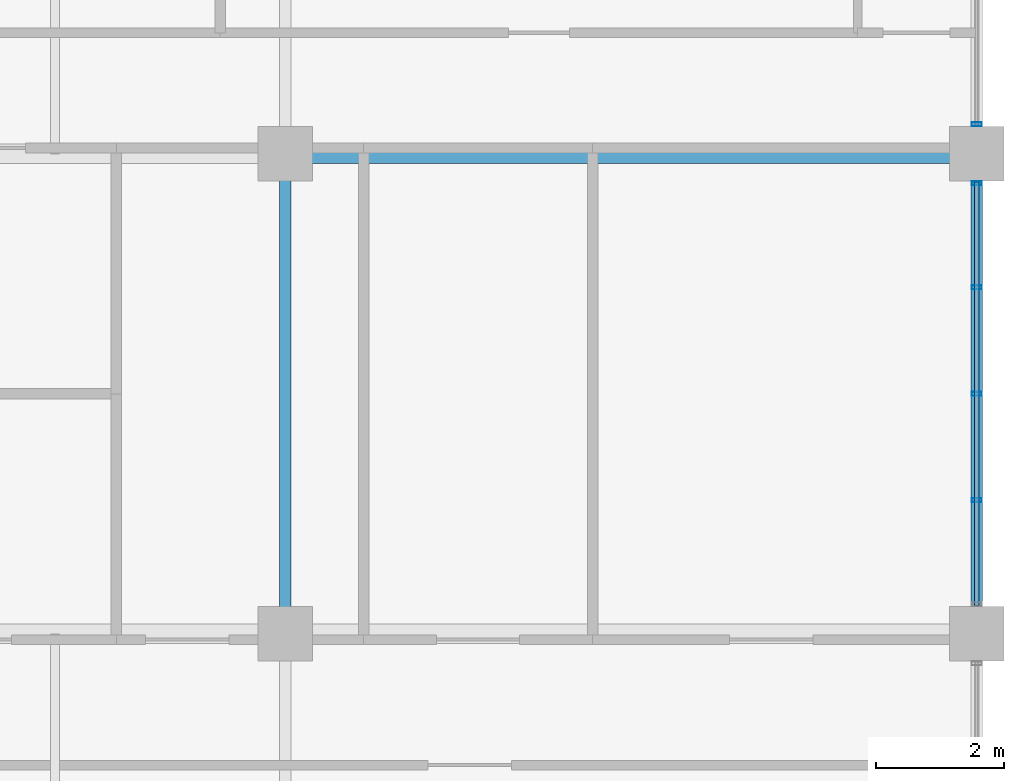
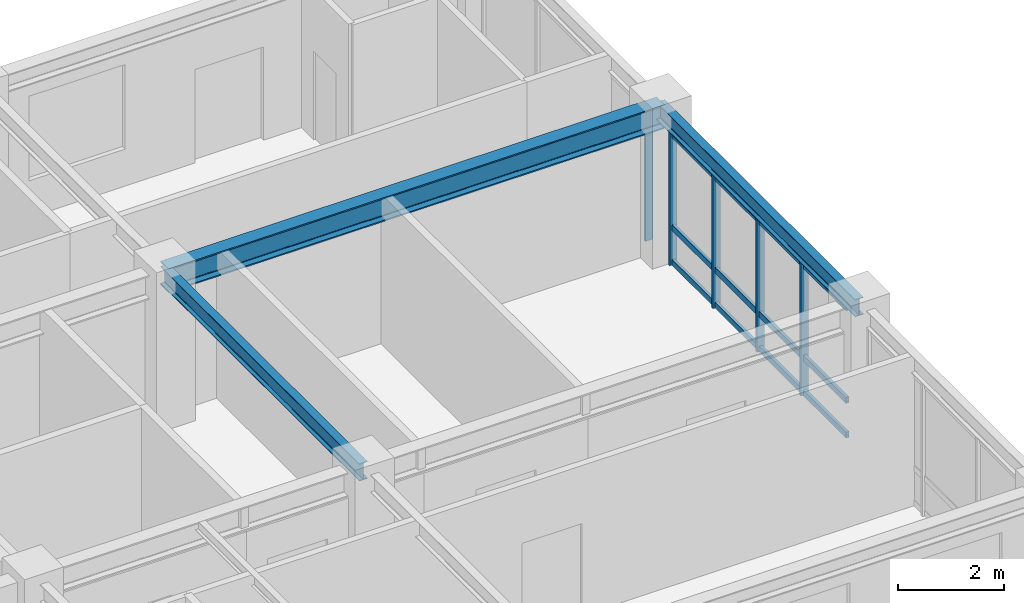
# One storey, part 3 of 11: 8 members, 3 beams, 2 elements without a shape of their own.
"""IFC4 building model written with IfcOpenShell, lengths in metres."""

from ifc_helpers import new_model, si_unit, direction, frame, origin, origin_2d, place, context, subcontext, project, spatial, hollow_rectangle, i_section, extrude, source, transform, mapped, material, layer, layer_set, material_profile, profile_set, type_object, element, aggregate, save


model = new_model("IFC4")

# Units and contexts
model_context = context("Model", 3, precision=1e-05, world=origin(), true_north=direction((0.0, 1.0)))
body_context = subcontext(model_context, "Body", "Model", "MODEL_VIEW")
ifc_project = project(units=[si_unit("LENGTHUNIT", "METRE"), si_unit("AREAUNIT", "SQUARE_METRE"), si_unit("VOLUMEUNIT", "CUBIC_METRE"), si_unit("PLANEANGLEUNIT", "RADIAN"), si_unit("MASSUNIT", "GRAM", prefix="KILO")], contexts=[model_context])

# Site, building, storey
site_placement = place(None, origin())
site = spatial("IfcSite", under=ifc_project, at=site_placement, CompositionType="ELEMENT")
building_placement = place(site_placement, origin())
building = spatial("IfcBuilding", under=site, at=building_placement, Name="Kaliganga Portal Commons", CompositionType="ELEMENT")
storey_placement = place(building_placement, frame((0.0, 0.0, 257.300048828125)))
storey = spatial("IfcBuildingStorey", under=building, at=storey_placement, Name="L66", CompositionType="ELEMENT", Elevation=257.300048828125)

# Beams
ifc_material_1 = material(Name="Structural steel S355J2", Category="steel")
ifc_material_profile_1 = material_profile(ifc_material_1, i_section(OverallWidth=0.300048828125, OverallDepth=0.550048828125, WebThickness=0.014892578125, FlangeThickness=0.029052734375, FilletRadius=0.027099609375, at=origin_2d()), Name="HE 550 B")
ifc_profile_set_1 = profile_set([ifc_material_profile_1], Name="Structural steel S355J2 wide-flange")
beam_type_1 = type_object("IfcBeamType", Name="BM-GIRD-550", PredefinedType="USERDEFINED", material=ifc_profile_set_1)
shared_shape_1 = source(origin(), body_context, "Body", "SweptSolid", [
    extrude(i_section(OverallWidth=0.300048828125, OverallDepth=0.550048828125, WebThickness=0.014892578125, FlangeThickness=0.029052734375, FilletRadius=0.027099609375, at=origin_2d()), origin(), (0.0, 0.0, 1.0), 10.800048828125),
])
beam_placement = place(storey_placement, frame((36.0, 36.14990234375, 3.199951171875), z_axis=(1.0, 0.0, 0.0), x_axis=(0.0, 1.0, 0.0)))
element("IfcBeam", 1, at=beam_placement, inside=storey, type_object=beam_type_1, Name="BM G L66 WAE_N 2", ObjectType="GIRDER", PredefinedType="USERDEFINED", context=body_context, shape_type="MappedRepresentation", body=[
    mapped(shared_shape_1, transform((0.0, 0.0, 0.0), x_axis=(1.0, 0.0, 0.0), y_axis=(0.0, 1.0, 0.0), z_axis=(0.0, 0.0, 1.0), scale=1.0)),
])
ifc_material_profile_2 = material_profile(ifc_material_1, i_section(OverallWidth=0.179931640625, OverallDepth=0.39990234375, WebThickness=0.008544921875, FlangeThickness=0.013427734375, FilletRadius=0.02099609375, at=origin_2d()), Name="IPE 400")
ifc_profile_set_2 = profile_set([ifc_material_profile_2], Name="Structural steel S355J2 wide-flange")
beam_type_2 = type_object("IfcBeamType", Name="BM-FLR-400", PredefinedType="BEAM", material=ifc_profile_set_2)
shared_shape_2 = source(origin(), body_context, "Body", "SweptSolid", [
    extrude(i_section(OverallWidth=0.179931640625, OverallDepth=0.39990234375, WebThickness=0.008544921875, FlangeThickness=0.013427734375, FilletRadius=0.02099609375, at=origin_2d()), origin(), (0.0, 0.0, 1.0), 7.5),
])
for number, where, z_axis, x_axis, name in (
    (2, (36.0, 28.64990234375, 3.27490234375), (0.0, 1.0, 0.0), (-1.0, 0.0, 0.0), "BM G L66 AM360"),
    (3, (46.800048828125, 28.64990234375, 3.27490234375), (0.0, 1.0, 0.0), (-1.0, 0.0, 0.0), "BM G L66 AM468"),
):
    element("IfcBeam", number, at=place(storey_placement, frame(where, z_axis=z_axis, x_axis=x_axis)), inside=storey, type_object=beam_type_2, Name=name, PredefinedType="BEAM", context=body_context, shape_type="MappedRepresentation", body=[
        mapped(shared_shape_2, transform((0.0, 0.0, 0.0), x_axis=(1.0, 0.0, 0.0), y_axis=(0.0, 1.0, 0.0), z_axis=(0.0, 0.0, 1.0), scale=1.0)),
    ])

# Curtain wall, members
ifc_material_2 = material(Name="Anodized Aluminium and Laminated Low-E Glass", Category="aluminium")
ifc_layer = layer(ifc_material_2, 0.18994140625)
ifc_layer_set = layer_set([ifc_layer], Name="Anodized Aluminium and Laminated Low-E Glass")
curtain_wall_type = type_object("IfcCurtainWallType", Name="CW-SYS-05", PredefinedType="NOTDEFINED", material=ifc_layer_set)
curtain_wall_1_placement = place(storey_placement, origin())
curtain_wall_1 = element("IfcCurtainWall", 4, at=curtain_wall_1_placement, inside=storey, type_object=curtain_wall_type, Name="CW 05 L66 P1E01S2", PredefinedType="NOTDEFINED")
ifc_material_3 = material(Name="Dark Bronze Anodized Aluminium", Category="aluminium")
ifc_material_profile_3 = material_profile(ifc_material_3, hollow_rectangle(XDim=0.06005859375, YDim=0.159912109375, WallThickness=0.00341796875, at=origin_2d()), Name="ALU MULL 60x160x3.5")
ifc_profile_set_3 = profile_set([ifc_material_profile_3], Name="Dark Bronze Anodized Aluminium")
member_type_1 = type_object("IfcMemberType", Name="CW-MUL-160", PredefinedType="MULLION", material=ifc_profile_set_3)
shared_shape_3 = source(origin(), body_context, "Body", "SweptSolid", [
    extrude(hollow_rectangle(XDim=0.06005859375, YDim=0.159912109375, WallThickness=0.00341796875, at=origin_2d()), origin(), (0.0, 0.0, 1.0), 3.074951171875),
])
member_1_placement = place(storey_placement, frame((46.800048828125, 30.738037109375, 0.0), z_axis=(0.0, 0.0, 1.0), x_axis=(0.0, 1.0, 0.0)))
member_1 = element("IfcMember", 5, at=member_1_placement, type_object=member_type_1, Name="CW:05:L66:P1E01S2 Mullion 01", PredefinedType="MULLION", context=body_context, shape_type="MappedRepresentation", body=[
    mapped(shared_shape_3, transform((0.0, 0.0, 0.0), x_axis=(1.0, 0.0, 0.0), y_axis=(0.0, 1.0, 0.0), z_axis=(0.0, 0.0, 1.0), scale=1.0)),
])
member_2_placement = place(storey_placement, frame((46.800048828125, 32.39990234375, 0.0), z_axis=(0.0, 0.0, 1.0), x_axis=(0.0, 1.0, 0.0)))
member_2 = element("IfcMember", 6, at=member_2_placement, type_object=member_type_1, Name="CW:05:L66:P1E01S2 Mullion 02", PredefinedType="MULLION", context=body_context, shape_type="MappedRepresentation", body=[
    mapped(shared_shape_3, transform((0.0, 0.0, 0.0), x_axis=(1.0, 0.0, 0.0), y_axis=(0.0, 1.0, 0.0), z_axis=(0.0, 0.0, 1.0), scale=1.0)),
])
member_3_placement = place(storey_placement, frame((46.800048828125, 34.06201171875, 0.0), z_axis=(0.0, 0.0, 1.0), x_axis=(0.0, 1.0, 0.0)))
member_3 = element("IfcMember", 7, at=member_3_placement, type_object=member_type_1, Name="CW:05:L66:P1E01S2 Mullion 03", PredefinedType="MULLION", context=body_context, shape_type="MappedRepresentation", body=[
    mapped(shared_shape_3, transform((0.0, 0.0, 0.0), x_axis=(1.0, 0.0, 0.0), y_axis=(0.0, 1.0, 0.0), z_axis=(0.0, 0.0, 1.0), scale=1.0)),
])
member_4_placement = place(storey_placement, frame((46.800048828125, 35.68896484375, 0.0), z_axis=(0.0, 0.0, 1.0), x_axis=(0.0, 1.0, 0.0)))
member_4 = element("IfcMember", 8, at=member_4_placement, type_object=member_type_1, Name="CW:05:L66:P1E01S2 Mullion 04", PredefinedType="MULLION", context=body_context, shape_type="MappedRepresentation", body=[
    mapped(shared_shape_3, transform((0.0, 0.0, 0.0), x_axis=(1.0, 0.0, 0.0), y_axis=(0.0, 1.0, 0.0), z_axis=(0.0, 0.0, 1.0), scale=1.0)),
])

# Curtain wall, member
curtain_wall_2_placement = place(storey_placement, origin())
curtain_wall_2 = element("IfcCurtainWall", 9, at=curtain_wall_2_placement, inside=storey, type_object=curtain_wall_type, Name="CW 05 L66 P1E01S3", PredefinedType="NOTDEFINED")
member_5_placement = place(storey_placement, frame((46.800048828125, 36.611083984375, 0.0), z_axis=(0.0, 0.0, 1.0), x_axis=(0.0, 1.0, 0.0)))
member_5 = element("IfcMember", 10, at=member_5_placement, type_object=member_type_1, Name="CW:05:L66:P1E01S3 Mullion 00", PredefinedType="MULLION", context=body_context, shape_type="MappedRepresentation", body=[
    mapped(shared_shape_3, transform((0.0, 0.0, 0.0), x_axis=(1.0, 0.0, 0.0), y_axis=(0.0, 1.0, 0.0), z_axis=(0.0, 0.0, 1.0), scale=1.0)),
])
aggregate(curtain_wall_2, [member_5])

# Member
ifc_material_profile_4 = material_profile(ifc_material_3, hollow_rectangle(XDim=0.06494140625, YDim=0.135009765625, WallThickness=0.00341796875, at=origin_2d()), Name="ALU TRAN 65x135x3.5")
ifc_profile_set_4 = profile_set([ifc_material_profile_4], Name="Dark Bronze Anodized Aluminium")
member_type_2 = type_object("IfcMemberType", Name="CW-TRN-135", PredefinedType="USERDEFINED", material=ifc_profile_set_4)
shared_shape_4 = source(origin(), body_context, "Body", "SweptSolid", [
    extrude(hollow_rectangle(XDim=0.06494140625, YDim=0.135009765625, WallThickness=0.00341796875, at=origin_2d()), origin(), (0.0, 0.0, 1.0), 6.608154296875),
])
member_6_placement = place(storey_placement, frame((46.800048828125, 29.095947265625, 0.06005859375), z_axis=(0.0, 1.0, 0.0), x_axis=(-1.0, 0.0, 0.0)))
member_6 = element("IfcMember", 11, at=member_6_placement, type_object=member_type_2, Name="CW:05:L66:P1E01S2 Transom 1", ObjectType="TRANSOM", PredefinedType="USERDEFINED", context=body_context, shape_type="MappedRepresentation", body=[
    mapped(shared_shape_4, transform((0.0, 0.0, 0.0), x_axis=(1.0, 0.0, 0.0), y_axis=(0.0, 1.0, 0.0), z_axis=(0.0, 0.0, 1.0), scale=1.0)),
])

member_7_placement = place(storey_placement, frame((46.800048828125, 29.095947265625, 0.86083984375), z_axis=(0.0, 1.0, 0.0), x_axis=(-1.0, 0.0, 0.0)))
member_7 = element("IfcMember", 12, at=member_7_placement, type_object=member_type_2, Name="CW:05:L66:P1E01S2 Transom 2", ObjectType="TRANSOM", PredefinedType="USERDEFINED", context=body_context, shape_type="MappedRepresentation", body=[
    mapped(shared_shape_4, transform((0.0, 0.0, 0.0), x_axis=(1.0, 0.0, 0.0), y_axis=(0.0, 1.0, 0.0), z_axis=(0.0, 0.0, 1.0), scale=1.0)),
])

member_8_placement = place(storey_placement, frame((46.800048828125, 29.095947265625, 2.994873046875), z_axis=(0.0, 1.0, 0.0), x_axis=(-1.0, 0.0, 0.0)))
member_8 = element("IfcMember", 13, at=member_8_placement, type_object=member_type_2, Name="CW:05:L66:P1E01S2 Transom 3", ObjectType="TRANSOM", PredefinedType="USERDEFINED", context=body_context, shape_type="MappedRepresentation", body=[
    mapped(shared_shape_4, transform((0.0, 0.0, 0.0), x_axis=(1.0, 0.0, 0.0), y_axis=(0.0, 1.0, 0.0), z_axis=(0.0, 0.0, 1.0), scale=1.0)),
])

aggregate(curtain_wall_1, [member_1, member_2, member_3, member_4, member_6, member_7, member_8])

save(model, "model.ifc")
